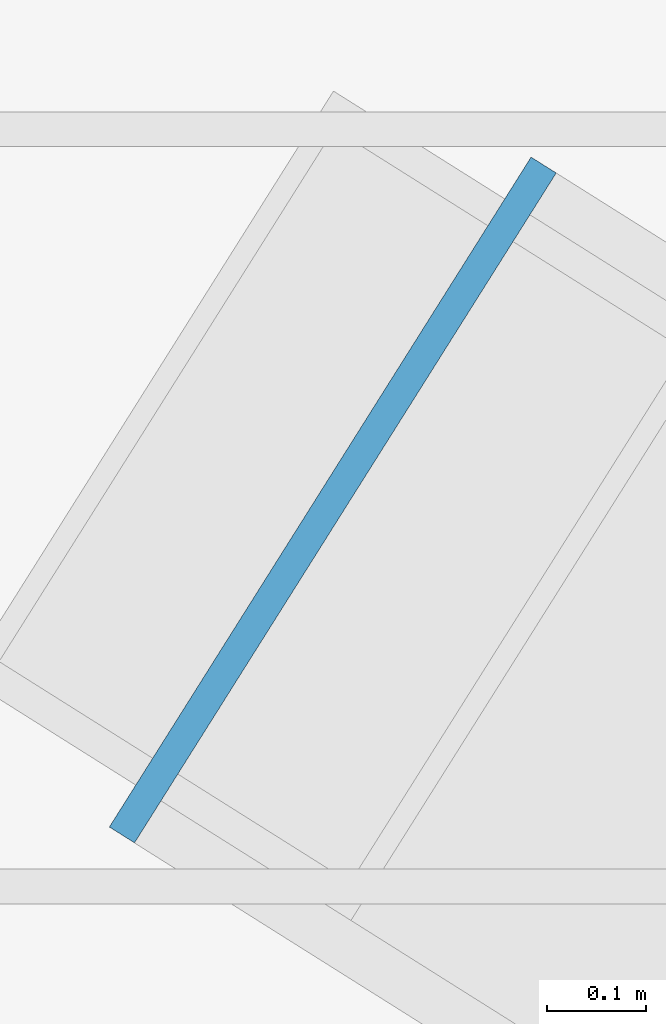
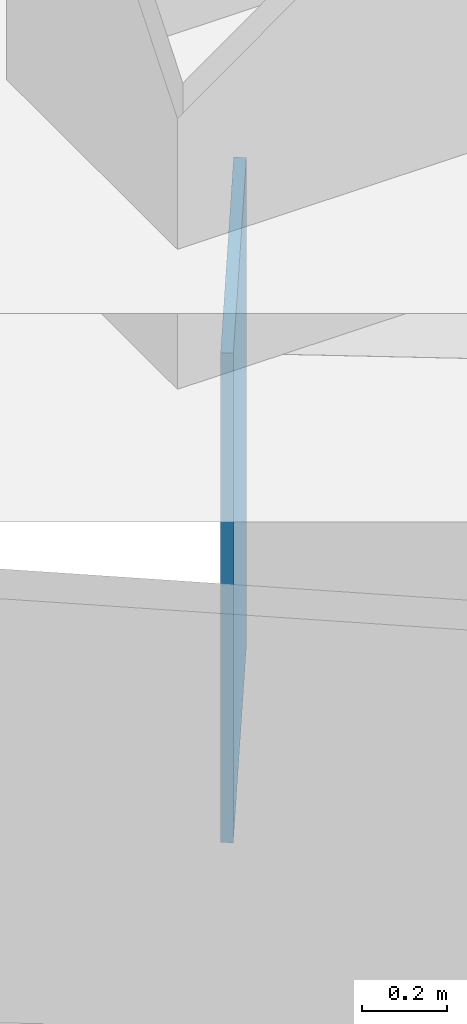
# One storey, part 13 of 24: 1 discrete accessory.
"""IFC4 building model written with IfcOpenShell, lengths in metres."""

from ifc_helpers import new_model, si_unit, direction, frame, origin, origin_2d, place, context, subcontext, project, spatial, rectangle, extrude, material, type_object, element, save


model = new_model("IFC4")

# Units and contexts
model_context = context("Model", 3, precision=1e-05, world=origin(), true_north=direction((0.0, 1.0)))
body_context = subcontext(model_context, "Body", "Model", "MODEL_VIEW")
ifc_project = project(units=[si_unit("LENGTHUNIT", "METRE"), si_unit("AREAUNIT", "SQUARE_METRE"), si_unit("VOLUMEUNIT", "CUBIC_METRE"), si_unit("PLANEANGLEUNIT", "RADIAN"), si_unit("MASSUNIT", "GRAM", prefix="KILO")], contexts=[model_context])

# Site, building, storey
site_placement = place(None, origin())
site = spatial("IfcSite", under=ifc_project, at=site_placement, CompositionType="ELEMENT")
building_placement = place(site_placement, origin())
building = spatial("IfcBuilding", under=site, at=building_placement, Name="Tuul Gate Civic Tower", CompositionType="ELEMENT")
storey_placement = place(building_placement, frame((0.0, 0.0, 94.800048828125)))
storey = spatial("IfcBuildingStorey", under=building, at=storey_placement, Name="Plant and refuge floor 3", CompositionType="ELEMENT", Elevation=94.800048828125)

# Discrete accessory
ifc_material = material(Name="Steel S355", Category="steel")
discrete_accessory_type = type_object("IfcDiscreteAccessoryType", Name="End cap plate", PredefinedType="BRACKET", material=ifc_material)
discrete_accessory_placement = place(storey_placement, frame((-48.190673828125, -20.883056640625, -1.800048828125), z_axis=(0.0, 0.0, 1.0), x_axis=(0.84627513954, -0.532746082291, 0.0)))
element("IfcDiscreteAccessory", 1, at=discrete_accessory_placement, inside=storey, type_object=discrete_accessory_type, Name="End cap plate", PredefinedType="BRACKET", context=body_context, shape_type="SweptSolid", body=[
    extrude(rectangle(XDim=0.030029296875, YDim=0.800048828125, at=origin_2d()), origin(), (0.0, 0.0, 1.0), 1.39990234375),
])

save(model, "model.ifc")
